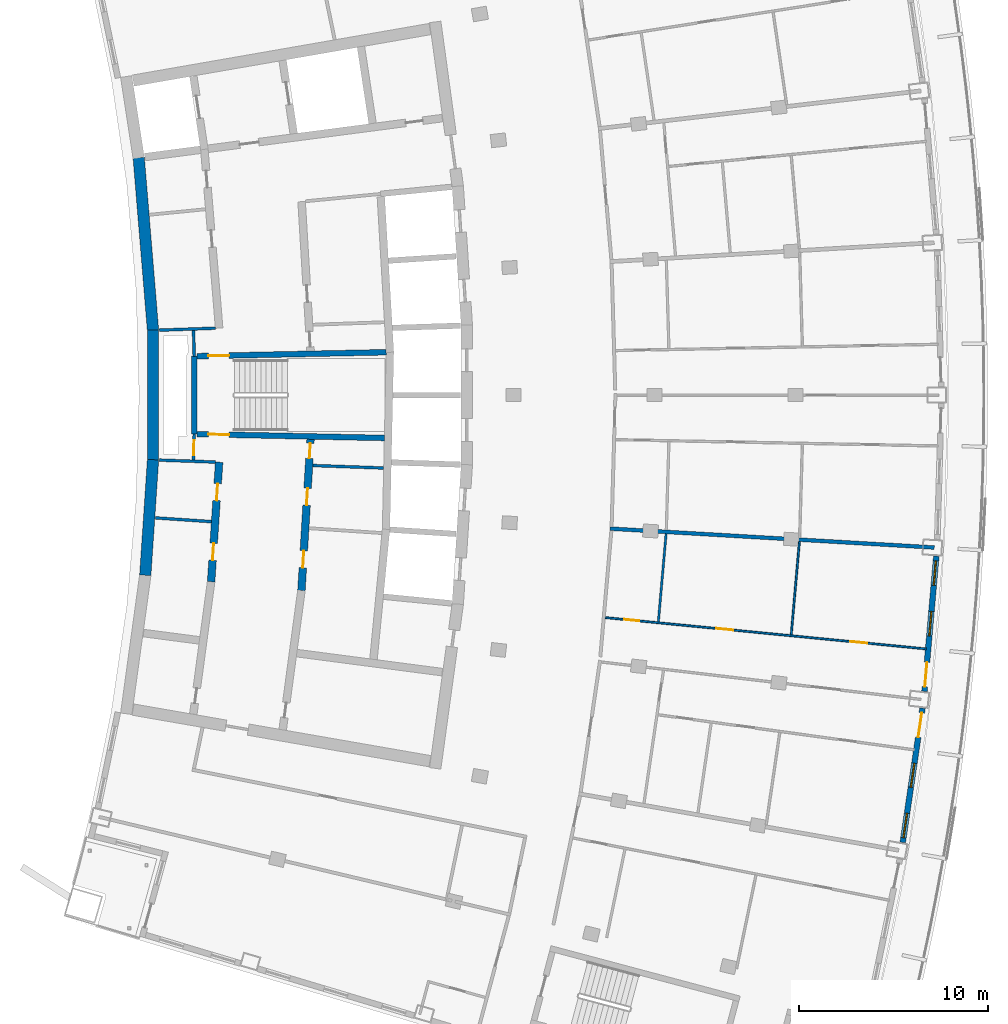
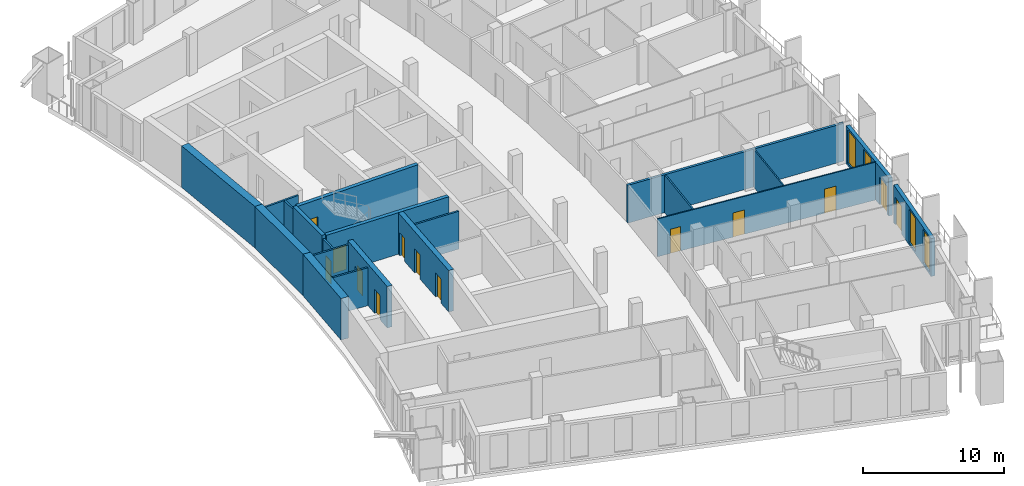
# One storey, part 11 of 19: 20 walls, 13 doors, 4 windows, 17 openings.
"""IFC4 building model written with IfcOpenShell, lengths in metres."""

from ifc_helpers import new_model, si_unit, direction, frame, frame_2d, origin, place, context, subcontext, project, spatial, rectangle, extrude, material, layer, layer_set, type_object, element, fill, save


model = new_model("IFC4")

# Units and contexts
model_context = context("Model", 3, precision=1e-05, world=origin(), true_north=direction((0.0, 1.0)))
body_context = subcontext(model_context, "Body", "Model", "MODEL_VIEW")
ifc_project = project(units=[si_unit("LENGTHUNIT", "METRE"), si_unit("AREAUNIT", "SQUARE_METRE"), si_unit("VOLUMEUNIT", "CUBIC_METRE"), si_unit("PLANEANGLEUNIT", "RADIAN"), si_unit("MASSUNIT", "GRAM", prefix="KILO")], contexts=[model_context])

# Site, building, storey
site_placement = place(None, origin())
site = spatial("IfcSite", under=ifc_project, at=site_placement, CompositionType="ELEMENT")
building_placement = place(site_placement, origin())
building = spatial("IfcBuilding", under=site, at=building_placement, Name="Alderwake Tower", CompositionType="ELEMENT")
storey_placement = place(building_placement, frame((0.0, 0.0, 203.60009765625)))
storey = spatial("IfcBuildingStorey", under=building, at=storey_placement, Name="L50", CompositionType="ELEMENT", Elevation=203.60009765625)

# Wall
ifc_material_1 = material(Name="Gypsum shaft wall system, rated")
ifc_layer_1 = layer(ifc_material_1, 0.14990234375)
ifc_layer_set_1 = layer_set([ifc_layer_1], Name="Core riser partition 150")
wall_type_1 = type_object("IfcWallType", Name="Core riser partition 150", PredefinedType="PARTITIONING", material=ifc_layer_set_1)
wall_1_placement = place(storey_placement, frame((25.1904296875, 57.276611328125, 0.0), z_axis=(0.0, 0.0, 1.0), x_axis=(0.99937350076, -0.035392173974, 0.0)))
element("IfcWall", 1, at=wall_1_placement, inside=storey, type_object=wall_type_1, Name="CW/L50/PR-37_+86", PredefinedType="PARTITIONING", context=body_context, shape_type="SweptSolid", body=[
    extrude(rectangle(XDim=3.752685546875, YDim=0.14990234375, at=frame_2d((1.87646484375, 0.0))), origin(), (0.0, 0.0, 1.0), 3.27978515625),
])

# Wall, opening, door
ifc_material_2 = material(Name="Gypsum shaft wall system, rated")
ifc_layer_2 = layer(ifc_material_2, 0.14990234375)
ifc_layer_set_2 = layer_set([ifc_layer_2], Name="Core room partition 150")
wall_type_2 = type_object("IfcWallType", Name="Core room partition 150", PredefinedType="PARTITIONING", material=ifc_layer_set_2)
wall_2_placement = place(storey_placement, frame((18.918701171875, 58.94384765625, 0.0), z_axis=(0.0, 0.0, 1.0), x_axis=(-0.027811602725, -0.999613182563, 0.0)))
wall_2 = element("IfcWall", 2, at=wall_2_placement, inside=storey, type_object=wall_type_2, Name="CW/L50/PA+24_-37", PredefinedType="PARTITIONING", context=body_context, shape_type="SweptSolid", body=[
    extrude(rectangle(XDim=1.369384765625, YDim=0.14990234375, at=frame_2d((0.6845703125, 0.0))), origin(), (0.0, 0.0, 1.0), 3.27978515625),
])
opening_1_placement = place(wall_2_placement, frame((0.322998046875, 0.0, 0.0)))
opening_1 = element("IfcOpeningElement", 3, at=opening_1_placement, cuts=wall_2, Name="Opening C004", PredefinedType="OPENING", context=body_context, shape_type="SweptSolid", body=[
    extrude(rectangle(XDim=0.800048828125, YDim=2.0, at=frame_2d((0.39990234375, 1.0))), frame((0.0, 0.0849609375, 0.0), z_axis=(0.0, -1.0, 0.0), x_axis=(1.0, 0.0, 0.0)), (0.0, 0.0, 1.0), 0.169921875),
])
ifc_material_3 = material(Name="Painted steel leaf, rated", Category="steel")
door_type_1 = type_object("IfcDoorType", Name="Riser access door 800", OperationType="SINGLE_SWING_LEFT", PredefinedType="DOOR", material=ifc_material_3)
door_1_placement = place(opening_1_placement, origin())
door_1 = element("IfcDoor", 4, at=door_1_placement, inside=storey, type_object=door_type_1, Name="Riser access door", OperationType="SINGLE_SWING_RIGHT", OverallHeight=2.0, OverallWidth=0.800048828125, PredefinedType="DOOR", context=body_context, shape_type="SweptSolid", body=[
    extrude(rectangle(XDim=0.800048828125, YDim=2.0, at=frame_2d((0.39990234375, 1.0))), frame((0.0, 0.02490234375, 0.0), z_axis=(0.0, -1.0, 0.0), x_axis=(1.0, 0.0, 0.0)), (0.0, 0.0, 1.0), 0.050048828125),
])
fill(opening_1, door_1)

# Walls
wall_3_placement = place(storey_placement, frame((18.918701171875, 63.05517578125, 0.0), z_axis=(0.0, 0.0, 1.0), x_axis=(-0.027791791559, 0.99961373356, 0.0)))
element("IfcWall", 5, at=wall_3_placement, inside=storey, type_object=wall_type_2, Name="CW/L50/PA+24_+22", PredefinedType="PARTITIONING", context=body_context, shape_type="SweptSolid", body=[
    extrude(rectangle(XDim=1.370361328125, YDim=0.14990234375, at=frame_2d((0.68505859375, 0.0))), origin(), (0.0, 0.0, 1.0), 3.27978515625),
])
wall_4_placement = place(storey_placement, frame((16.864501953125, 54.506103515625, 0.0), z_axis=(0.0, 0.0, 1.0), x_axis=(0.997761437145, -0.066873870437, 0.0)))
element("IfcWall", 6, at=wall_4_placement, inside=storey, type_object=wall_type_2, Name="CW/L50/PR-70_+0", PredefinedType="PARTITIONING", context=body_context, shape_type="SweptSolid", body=[
    extrude(rectangle(XDim=2.968017578125, YDim=0.14990234375, at=frame_2d((1.48388671875, 0.0))), origin(), (0.0, 0.0, 1.0), 3.27978515625),
])
for number, where, z_axis, x_axis, name in (
    (7, (17.0693359375, 57.56396484375, 0.0), (0.0, 0.0, 1.0), (0.999374945052, -0.03535136775, 0.0), "CW/L50/PR-37_+0"),
    (8, (17.0693359375, 64.43603515625, 0.0), (0.0, 0.0, 1.0), (0.999374945052, 0.03535136775, 0.0), "CW/L50/PR+37_+0"),
):
    element("IfcWall", number, at=place(storey_placement, frame(where, z_axis=z_axis, x_axis=x_axis)), inside=storey, type_object=wall_type_2, Name=name, PredefinedType="PARTITIONING", context=body_context, shape_type="SweptSolid", body=[
        extrude(rectangle(XDim=2.9697265625, YDim=0.14990234375, at=frame_2d((1.48486328125, 0.0))), origin(), (0.0, 0.0, 1.0), 3.27978515625),
    ])
ifc_material_4 = material(Name="Concrete C70/85", Category="concrete")
ifc_layer_3 = layer(ifc_material_4, 0.60009765625)
ifc_layer_set_3 = layer_set([ifc_layer_3], Name="Core wall outer 600 C70-85")
wall_type_3 = type_object("IfcWallType", Name="Core wall outer 600 C70-85", PredefinedType="SHEAR", material=ifc_layer_set_3)
wall_5_placement = place(storey_placement, frame((16.330078125, 51.469970703125, 0.0), z_axis=(0.0, 0.0, 1.0), x_axis=(0.066870582109, 0.997761657536, 0.0)))
element("IfcWall", 9, at=wall_5_placement, inside=storey, type_object=wall_type_3, Name="Core wall CW.036", PredefinedType="SHEAR", context=body_context, shape_type="SweptSolid", body=[
    extrude(rectangle(XDim=6.1298828125, YDim=0.60009765625, at=frame_2d((3.06494140625, 0.0))), origin(), (0.0, 0.0, 1.0), 3.599853515625),
])
wall_6_placement = place(storey_placement, frame((16.739501953125, 57.565185546875, 0.0), z_axis=(0.0, 0.0, 1.0), x_axis=(0.0, 1.0, 0.0)))
element("IfcWall", 10, at=wall_6_placement, inside=storey, type_object=wall_type_3, Name="Core wall CW.038", PredefinedType="SHEAR", context=body_context, shape_type="SweptSolid", body=[
    extrude(rectangle(XDim=6.8720703125, YDim=0.60009765625, at=frame_2d((3.43603515625, 0.0))), origin(), (0.0, 0.0, 1.0), 3.599853515625),
])
wall_7_placement = place(storey_placement, frame((16.740478515625, 64.411376953125, 0.0), z_axis=(0.0, 0.0, 1.0), x_axis=(-0.082614307012, 0.996581595393, 0.0)))
element("IfcWall", 11, at=wall_7_placement, inside=storey, type_object=wall_type_3, Name="Core wall CW.035", PredefinedType="SHEAR", context=body_context, shape_type="SweptSolid", body=[
    extrude(rectangle(XDim=9.184814453125, YDim=0.60009765625, at=frame_2d((4.59228515625, 0.0))), origin(), (0.0, 0.0, 1.0), 3.599853515625),
])

# Wall, openings, doors
ifc_material_5 = material(Name="Concrete C70/85", Category="concrete")
ifc_layer_4 = layer(ifc_material_5, 0.39990234375)
ifc_layer_set_4 = layer_set([ifc_layer_4], Name="Core wall spine 400 C70-85")
wall_type_4 = type_object("IfcWallType", Name="Core wall spine 400 C70-85", PredefinedType="SHEAR", material=ifc_layer_set_4)
wall_8_placement = place(storey_placement, frame((20.2373046875, 57.451904296875, 0.0), z_axis=(0.0, 0.0, 1.0), x_axis=(-0.066884681503, -0.997760712486, 0.0)))
wall_8 = element("IfcWall", 12, at=wall_8_placement, inside=storey, type_object=wall_type_4, Name="Core wall CW.032", PredefinedType="SHEAR", context=body_context, shape_type="SweptSolid", body=[
    extrude(rectangle(XDim=6.336669921875, YDim=0.39990234375, at=frame_2d((3.16845703125, 0.0))), origin(), (0.0, 0.0, 1.0), 3.599853515625),
])
opening_2_placement = place(wall_8_placement, frame((4.297119140625, 0.0, 0.0)))
opening_2 = element("IfcOpeningElement", 13, at=opening_2_placement, cuts=wall_8, Name="Opening C038", PredefinedType="OPENING", context=body_context, shape_type="SweptSolid", body=[
    extrude(rectangle(XDim=0.89990234375, YDim=2.10009765625, at=frame_2d((0.449951171875, 1.050048828125))), frame((0.0, 0.2099609375, 0.0), z_axis=(0.0, -1.0, 0.0), x_axis=(1.0, 0.0, 0.0)), (0.0, 0.0, 1.0), 0.419921875),
])
opening_3_placement = place(wall_8_placement, frame((1.132080078125, 0.0, 0.0)))
opening_3 = element("IfcOpeningElement", 14, at=opening_3_placement, cuts=wall_8, Name="Opening C042", PredefinedType="OPENING", context=body_context, shape_type="SweptSolid", body=[
    extrude(rectangle(XDim=0.89990234375, YDim=2.10009765625, at=frame_2d((0.449951171875, 1.050048828125))), frame((0.0, 0.2099609375, 0.0), z_axis=(0.0, -1.0, 0.0), x_axis=(1.0, 0.0, 0.0)), (0.0, 0.0, 1.0), 0.419921875),
])
ifc_material_6 = material(Name="Painted steel leaf", Category="steel")
door_type_2 = type_object("IfcDoorType", Name="Core room door 900", OperationType="SINGLE_SWING_LEFT", PredefinedType="DOOR", material=ifc_material_6)
door_2_placement = place(opening_2_placement, origin())
door_2 = element("IfcDoor", 15, at=door_2_placement, inside=storey, type_object=door_type_2, Name="Room door", OperationType="SINGLE_SWING_RIGHT", OverallHeight=2.10009765625, OverallWidth=0.89990234375, PredefinedType="DOOR", context=body_context, shape_type="SweptSolid", body=[
    extrude(rectangle(XDim=0.89990234375, YDim=2.10009765625, at=frame_2d((0.449951171875, 1.050048828125))), frame((0.0, 0.02490234375, 0.0), z_axis=(0.0, -1.0, 0.0), x_axis=(1.0, 0.0, 0.0)), (0.0, 0.0, 1.0), 0.050048828125),
])
fill(opening_2, door_2)
door_3_placement = place(opening_3_placement, origin())
door_3 = element("IfcDoor", 16, at=door_3_placement, inside=storey, type_object=door_type_2, Name="Room door", OperationType="SINGLE_SWING_LEFT", OverallHeight=2.10009765625, OverallWidth=0.89990234375, PredefinedType="DOOR", context=body_context, shape_type="SweptSolid", body=[
    extrude(rectangle(XDim=0.89990234375, YDim=2.10009765625, at=frame_2d((0.449951171875, 1.050048828125))), frame((0.0, 0.02490234375, 0.0), z_axis=(0.0, -1.0, 0.0), x_axis=(1.0, 0.0, 0.0)), (0.0, 0.0, 1.0), 0.050048828125),
])
fill(opening_3, door_3)

wall_9_placement = place(storey_placement, frame((24.590087890625, 50.65673828125, 0.0), z_axis=(0.0, 0.0, 1.0), x_axis=(0.060318641452, 0.998179173041, 0.0)))
wall_9 = element("IfcWall", 17, at=wall_9_placement, inside=storey, type_object=wall_type_4, Name="Core wall CW.046", PredefinedType="SHEAR", context=body_context, shape_type="SweptSolid", body=[
    extrude(rectangle(XDim=8.022216796875, YDim=0.39990234375, at=frame_2d((4.01123046875, 0.0))), origin(), (0.0, 0.0, 1.0), 3.599853515625),
])
opening_4_placement = place(wall_9_placement, frame((7.006103515625, 0.0, 0.0)))
opening_4 = element("IfcOpeningElement", 18, at=opening_4_placement, cuts=wall_9, Name="Opening C006", PredefinedType="OPENING", context=body_context, shape_type="SweptSolid", body=[
    extrude(rectangle(XDim=0.800048828125, YDim=2.0, at=frame_2d((0.39990234375, 1.0))), frame((0.0, 0.2099609375, 0.0), z_axis=(0.0, -1.0, 0.0), x_axis=(1.0, 0.0, 0.0)), (0.0, 0.0, 1.0), 0.419921875),
])
opening_5_placement = place(wall_9_placement, frame((1.21533203125, 0.0, 0.0)))
opening_5 = element("IfcOpeningElement", 19, at=opening_5_placement, cuts=wall_9, Name="Opening C044", PredefinedType="OPENING", context=body_context, shape_type="SweptSolid", body=[
    extrude(rectangle(XDim=0.89990234375, YDim=2.10009765625, at=frame_2d((0.449951171875, 1.050048828125))), frame((0.0, 0.2099609375, 0.0), z_axis=(0.0, -1.0, 0.0), x_axis=(1.0, 0.0, 0.0)), (0.0, 0.0, 1.0), 0.419921875),
])
opening_6_placement = place(wall_9_placement, frame((4.531982421875, 0.0, 0.0)))
opening_6 = element("IfcOpeningElement", 20, at=opening_6_placement, cuts=wall_9, Name="Opening C048", PredefinedType="OPENING", context=body_context, shape_type="SweptSolid", body=[
    extrude(rectangle(XDim=0.89990234375, YDim=2.10009765625, at=frame_2d((0.449951171875, 1.050048828125))), frame((0.0, 0.2099609375, 0.0), z_axis=(0.0, -1.0, 0.0), x_axis=(1.0, 0.0, 0.0)), (0.0, 0.0, 1.0), 0.419921875),
])
door_4_placement = place(opening_5_placement, origin())
door_4 = element("IfcDoor", 21, at=door_4_placement, inside=storey, type_object=door_type_2, Name="Room door", OperationType="SINGLE_SWING_RIGHT", OverallHeight=2.10009765625, OverallWidth=0.89990234375, PredefinedType="DOOR", context=body_context, shape_type="SweptSolid", body=[
    extrude(rectangle(XDim=0.89990234375, YDim=2.10009765625, at=frame_2d((0.449951171875, 1.050048828125))), frame((0.0, 0.02490234375, 0.0), z_axis=(0.0, -1.0, 0.0), x_axis=(1.0, 0.0, 0.0)), (0.0, 0.0, 1.0), 0.050048828125),
])
fill(opening_5, door_4)
door_5_placement = place(opening_6_placement, origin())
door_5 = element("IfcDoor", 22, at=door_5_placement, inside=storey, type_object=door_type_2, Name="Room door", OperationType="SINGLE_SWING_LEFT", OverallHeight=2.10009765625, OverallWidth=0.89990234375, PredefinedType="DOOR", context=body_context, shape_type="SweptSolid", body=[
    extrude(rectangle(XDim=0.89990234375, YDim=2.10009765625, at=frame_2d((0.449951171875, 1.050048828125))), frame((0.0, 0.02490234375, 0.0), z_axis=(0.0, -1.0, 0.0), x_axis=(1.0, 0.0, 0.0)), (0.0, 0.0, 1.0), 0.050048828125),
])
fill(opening_6, door_5)
door_6_placement = place(opening_4_placement, origin())
door_6 = element("IfcDoor", 23, at=door_6_placement, inside=storey, type_object=door_type_1, Name="Riser access door", OperationType="SINGLE_SWING_RIGHT", OverallHeight=2.0, OverallWidth=0.800048828125, PredefinedType="DOOR", context=body_context, shape_type="SweptSolid", body=[
    extrude(rectangle(XDim=0.800048828125, YDim=2.0, at=frame_2d((0.39990234375, 1.0))), frame((0.0, 0.02490234375, 0.0), z_axis=(0.0, -1.0, 0.0), x_axis=(1.0, 0.0, 0.0)), (0.0, 0.0, 1.0), 0.050048828125),
])
fill(opening_4, door_6)

# Wall
ifc_material_7 = material(Name="Concrete C70/85", Category="concrete")
ifc_layer_5 = layer(ifc_material_7, 0.300048828125)
ifc_layer_set_5 = layer_set([ifc_layer_5], Name="Core wall stair enclosure 300 C70-85")
wall_type_5 = type_object("IfcWallType", Name="Core wall stair enclosure 300 C70-85", PredefinedType="SHEAR", material=ifc_layer_set_5)
wall_10_placement = place(storey_placement, frame((18.918701171875, 58.940673828125, 0.0), z_axis=(0.0, 0.0, 1.0), x_axis=(0.0, 1.0, 0.0)))
element("IfcWall", 24, at=wall_10_placement, inside=storey, type_object=wall_type_5, Name="Core wall CW.024", PredefinedType="SHEAR", context=body_context, shape_type="SweptSolid", body=[
    extrude(rectangle(XDim=4.11962890625, YDim=0.300048828125, at=frame_2d((2.059814453125, 0.0))), origin(), (0.0, 0.0, 1.0), 3.599853515625),
])

# Wall, opening, door
wall_11_placement = place(storey_placement, frame((28.975830078125, 58.733154296875, 0.0), z_axis=(0.0, 0.0, 1.0), x_axis=(-0.999783782948, 0.020793925895, 0.0)))
wall_11 = element("IfcWall", 25, at=wall_11_placement, inside=storey, type_object=wall_type_5, Name="Core wall CW.074", PredefinedType="SHEAR", context=body_context, shape_type="SweptSolid", body=[
    extrude(rectangle(XDim=9.909423828125, YDim=0.300048828125, at=frame_2d((4.95458984375, 0.0))), origin(), (0.0, 0.0, 1.0), 3.599853515625),
])
opening_7_placement = place(wall_11_placement, frame((8.20947265625, 0.0, 0.0)))
opening_7 = element("IfcOpeningElement", 26, at=opening_7_placement, cuts=wall_11, Name="Opening C063", PredefinedType="OPENING", context=body_context, shape_type="SweptSolid", body=[
    extrude(rectangle(XDim=1.10009765625, YDim=2.10009765625, at=frame_2d((0.550048828125, 1.050048828125))), frame((0.0, 0.159912109375, 0.0), z_axis=(0.0, -1.0, 0.0), x_axis=(1.0, 0.0, 0.0)), (0.0, 0.0, 1.0), 0.320068359375),
])
ifc_material_8 = material(Name="Steel-framed fire door leaf", Category="steel")
door_type_3 = type_object("IfcDoorType", Name="Core stair door 1100 fire-rated", OperationType="SINGLE_SWING_LEFT", PredefinedType="DOOR", material=ifc_material_8)
door_7_placement = place(opening_7_placement, origin())
door_7 = element("IfcDoor", 27, at=door_7_placement, inside=storey, type_object=door_type_3, Name="Stair door", OperationType="SINGLE_SWING_LEFT", OverallHeight=2.10009765625, OverallWidth=1.10009765625, PredefinedType="DOOR", context=body_context, shape_type="SweptSolid", body=[
    extrude(rectangle(XDim=1.10009765625, YDim=2.10009765625, at=frame_2d((0.550048828125, 1.050048828125))), frame((0.0, 0.02490234375, 0.0), z_axis=(0.0, -1.0, 0.0), x_axis=(1.0, 0.0, 0.0)), (0.0, 0.0, 1.0), 0.050048828125),
])
fill(opening_7, door_7)

wall_12_placement = place(storey_placement, frame((19.068603515625, 63.060791015625, 0.0), z_axis=(0.0, 0.0, 1.0), x_axis=(0.999783553773, 0.02080494185, 0.0)))
wall_12 = element("IfcWall", 28, at=wall_12_placement, inside=storey, type_object=wall_type_5, Name="Core wall CW.057", PredefinedType="SHEAR", context=body_context, shape_type="SweptSolid", body=[
    extrude(rectangle(XDim=10.009765625, YDim=0.300048828125, at=frame_2d((5.0048828125, 0.0))), origin(), (0.0, 0.0, 1.0), 3.599853515625),
])
opening_8_placement = place(wall_12_placement, frame((0.60009765625, 0.0, 0.0)))
opening_8 = element("IfcOpeningElement", 29, at=opening_8_placement, cuts=wall_12, Name="Opening C064", PredefinedType="OPENING", context=body_context, shape_type="SweptSolid", body=[
    extrude(rectangle(XDim=1.10009765625, YDim=2.10009765625, at=frame_2d((0.550048828125, 1.050048828125))), frame((0.0, 0.159912109375, 0.0), z_axis=(0.0, -1.0, 0.0), x_axis=(1.0, 0.0, 0.0)), (0.0, 0.0, 1.0), 0.320068359375),
])
door_8_placement = place(opening_8_placement, origin())
door_8 = element("IfcDoor", 30, at=door_8_placement, inside=storey, type_object=door_type_3, Name="Stair door", OperationType="SINGLE_SWING_RIGHT", OverallHeight=2.10009765625, OverallWidth=1.10009765625, PredefinedType="DOOR", context=body_context, shape_type="SweptSolid", body=[
    extrude(rectangle(XDim=1.10009765625, YDim=2.10009765625, at=frame_2d((0.550048828125, 1.050048828125))), frame((0.0, 0.02490234375, 0.0), z_axis=(0.0, -1.0, 0.0), x_axis=(1.0, 0.0, 0.0)), (0.0, 0.0, 1.0), 0.050048828125),
])
fill(opening_8, door_8)

# Wall, openings, door, windows
ifc_material_9 = material(Name="Precast concrete C50/60 spandrel panel", Category="concrete")
ifc_layer_6 = layer(ifc_material_9, 0.300048828125)
ifc_layer_set_6 = layer_set([ifc_layer_6], Name="External wall EW1 Precast concrete C50/60 spandrel")
wall_type_6 = type_object("IfcWallType", Name="External wall EW1 Precast concrete C50/60 spandrel", PredefinedType="SOLIDWALL", material=ifc_layer_set_6)
wall_13_placement = place(storey_placement, frame((56.400390625, 37.33740234375, 0.0), z_axis=(0.0, 0.0, 1.0), x_axis=(0.145323662677, 0.989384168595, 0.0)))
wall_13 = element("IfcWall", 31, at=wall_13_placement, inside=storey, type_object=wall_type_6, Name="External wall 13", PredefinedType="SOLIDWALL", context=body_context, shape_type="SweptSolid", body=[
    extrude(rectangle(XDim=7.18017578125, YDim=0.300048828125, at=frame_2d((3.590087890625, 0.0))), origin(), (0.0, 0.0, 1.0), 3.27978515625),
])
opening_9_placement = place(wall_13_placement, frame((0.25341796875, 0.0, 0.199951171875)))
opening_9 = element("IfcOpeningElement", 32, at=opening_9_placement, cuts=wall_13, Name="Opening W1", PredefinedType="OPENING", context=body_context, shape_type="SweptSolid", body=[
    extrude(rectangle(XDim=1.300048828125, YDim=2.89990234375, at=frame_2d((0.64990234375, 1.449951171875))), frame((0.0, 0.159912109375, 0.0), z_axis=(0.0, -1.0, 0.0), x_axis=(1.0, 0.0, 0.0)), (0.0, 0.0, 1.0), 0.320068359375),
])
opening_10_placement = place(wall_13_placement, frame((2.940185546875, 0.0, 0.199951171875)))
opening_10 = element("IfcOpeningElement", 33, at=opening_10_placement, cuts=wall_13, Name="Opening W1", PredefinedType="OPENING", context=body_context, shape_type="SweptSolid", body=[
    extrude(rectangle(XDim=1.300048828125, YDim=2.89990234375, at=frame_2d((0.64990234375, 1.449951171875))), frame((0.0, 0.159912109375, 0.0), z_axis=(0.0, -1.0, 0.0), x_axis=(1.0, 0.0, 0.0)), (0.0, 0.0, 1.0), 0.320068359375),
])
opening_11_placement = place(wall_13_placement, frame((5.626953125, 0.0, 0.0)))
opening_11 = element("IfcOpeningElement", 34, at=opening_11_placement, cuts=wall_13, Name="Opening D03", PredefinedType="OPENING", context=body_context, shape_type="SweptSolid", body=[
    extrude(rectangle(XDim=1.300048828125, YDim=2.39990234375, at=frame_2d((0.64990234375, 1.199951171875))), frame((0.0, 0.159912109375, 0.0), z_axis=(0.0, -1.0, 0.0), x_axis=(1.0, 0.0, 0.0)), (0.0, 0.0, 1.0), 0.320068359375),
])
ifc_material_10 = material(Name="Bronze tinted glass in aluminium frame", Category="aluminium")
door_type_4 = type_object("IfcDoorType", Name="Balcony door BD sliding", OperationType="SLIDING_TO_LEFT", PredefinedType="DOOR", material=ifc_material_10)
door_9_placement = place(opening_11_placement, origin())
door_9 = element("IfcDoor", 35, at=door_9_placement, inside=storey, type_object=door_type_4, Name="Door D03", OperationType="SLIDING_TO_LEFT", OverallHeight=2.39990234375, OverallWidth=1.300048828125, PredefinedType="DOOR", context=body_context, shape_type="SweptSolid", body=[
    extrude(rectangle(XDim=1.300048828125, YDim=2.39990234375, at=frame_2d((0.64990234375, 1.199951171875))), frame((0.0, 0.02490234375, 0.0), z_axis=(0.0, -1.0, 0.0), x_axis=(1.0, 0.0, 0.0)), (0.0, 0.0, 1.0), 0.050048828125),
])
fill(opening_11, door_9)
ifc_material_11 = material(Name="Bronze tinted glass in aluminium frame", Category="aluminium")
window_type = type_object("IfcWindowType", Name="Window W1 tall fixed and vent", PartitioningType="DOUBLE_PANEL_VERTICAL", PredefinedType="WINDOW", material=ifc_material_11)
window_1_placement = place(opening_9_placement, origin())
window_1 = element("IfcWindow", 36, at=window_1_placement, inside=storey, type_object=window_type, Name="Window W1 tall fixed and vent", OverallHeight=2.89990234375, OverallWidth=1.300048828125, PartitioningType="DOUBLE_PANEL_VERTICAL", PredefinedType="WINDOW", context=body_context, shape_type="SweptSolid", body=[
    extrude(rectangle(XDim=1.300048828125, YDim=2.89990234375, at=frame_2d((0.64990234375, 1.449951171875))), frame((0.0, 0.030029296875, 0.0), z_axis=(0.0, -1.0, 0.0), x_axis=(1.0, 0.0, 0.0)), (0.0, 0.0, 1.0), 0.06005859375),
])
fill(opening_9, window_1)
window_2_placement = place(opening_10_placement, origin())
window_2 = element("IfcWindow", 37, at=window_2_placement, inside=storey, type_object=window_type, Name="Window W1 tall fixed and vent", OverallHeight=2.89990234375, OverallWidth=1.300048828125, PartitioningType="DOUBLE_PANEL_VERTICAL", PredefinedType="WINDOW", context=body_context, shape_type="SweptSolid", body=[
    extrude(rectangle(XDim=1.300048828125, YDim=2.89990234375, at=frame_2d((0.64990234375, 1.449951171875))), frame((0.0, 0.030029296875, 0.0), z_axis=(0.0, -1.0, 0.0), x_axis=(1.0, 0.0, 0.0)), (0.0, 0.0, 1.0), 0.06005859375),
])
fill(opening_10, window_2)

wall_14_placement = place(storey_placement, frame((57.5478515625, 45.329833984375, 0.0), z_axis=(0.0, 0.0, 1.0), x_axis=(0.087383747715, 0.996174723949, 0.0)))
wall_14 = element("IfcWall", 38, at=wall_14_placement, inside=storey, type_object=wall_type_6, Name="External wall 14", PredefinedType="SOLIDWALL", context=body_context, shape_type="SweptSolid", body=[
    extrude(rectangle(XDim=7.180419921875, YDim=0.300048828125, at=frame_2d((3.59033203125, 0.0))), origin(), (0.0, 0.0, 1.0), 3.27978515625),
])
opening_12_placement = place(wall_14_placement, frame((0.25341796875, 0.0, 0.0)))
opening_12 = element("IfcOpeningElement", 39, at=opening_12_placement, cuts=wall_14, Name="Opening D04", PredefinedType="OPENING", context=body_context, shape_type="SweptSolid", body=[
    extrude(rectangle(XDim=1.300048828125, YDim=2.39990234375, at=frame_2d((0.64990234375, 1.199951171875))), frame((0.0, 0.159912109375, 0.0), z_axis=(0.0, -1.0, 0.0), x_axis=(1.0, 0.0, 0.0)), (0.0, 0.0, 1.0), 0.320068359375),
])
opening_13_placement = place(wall_14_placement, frame((2.940185546875, 0.0, 0.199951171875)))
opening_13 = element("IfcOpeningElement", 40, at=opening_13_placement, cuts=wall_14, Name="Opening W1", PredefinedType="OPENING", context=body_context, shape_type="SweptSolid", body=[
    extrude(rectangle(XDim=1.300048828125, YDim=2.89990234375, at=frame_2d((0.64990234375, 1.449951171875))), frame((0.0, 0.159912109375, 0.0), z_axis=(0.0, -1.0, 0.0), x_axis=(1.0, 0.0, 0.0)), (0.0, 0.0, 1.0), 0.320068359375),
])
opening_14_placement = place(wall_14_placement, frame((5.626953125, 0.0, 0.199951171875)))
opening_14 = element("IfcOpeningElement", 41, at=opening_14_placement, cuts=wall_14, Name="Opening W1", PredefinedType="OPENING", context=body_context, shape_type="SweptSolid", body=[
    extrude(rectangle(XDim=1.300048828125, YDim=2.89990234375, at=frame_2d((0.64990234375, 1.449951171875))), frame((0.0, 0.159912109375, 0.0), z_axis=(0.0, -1.0, 0.0), x_axis=(1.0, 0.0, 0.0)), (0.0, 0.0, 1.0), 0.320068359375),
])
door_10_placement = place(opening_12_placement, origin())
door_10 = element("IfcDoor", 42, at=door_10_placement, inside=storey, type_object=door_type_4, Name="Door D04", OperationType="SLIDING_TO_LEFT", OverallHeight=2.39990234375, OverallWidth=1.300048828125, PredefinedType="DOOR", context=body_context, shape_type="SweptSolid", body=[
    extrude(rectangle(XDim=1.300048828125, YDim=2.39990234375, at=frame_2d((0.64990234375, 1.199951171875))), frame((0.0, 0.02490234375, 0.0), z_axis=(0.0, -1.0, 0.0), x_axis=(1.0, 0.0, 0.0)), (0.0, 0.0, 1.0), 0.050048828125),
])
fill(opening_12, door_10)
window_3_placement = place(opening_13_placement, origin())
window_3 = element("IfcWindow", 43, at=window_3_placement, inside=storey, type_object=window_type, Name="Window W1 tall fixed and vent", OverallHeight=2.89990234375, OverallWidth=1.300048828125, PartitioningType="DOUBLE_PANEL_VERTICAL", PredefinedType="WINDOW", context=body_context, shape_type="SweptSolid", body=[
    extrude(rectangle(XDim=1.300048828125, YDim=2.89990234375, at=frame_2d((0.64990234375, 1.449951171875))), frame((0.0, 0.030029296875, 0.0), z_axis=(0.0, -1.0, 0.0), x_axis=(1.0, 0.0, 0.0)), (0.0, 0.0, 1.0), 0.06005859375),
])
fill(opening_13, window_3)
window_4_placement = place(opening_14_placement, origin())
window_4 = element("IfcWindow", 44, at=window_4_placement, inside=storey, type_object=window_type, Name="Window W1 tall fixed and vent", OverallHeight=2.89990234375, OverallWidth=1.300048828125, PartitioningType="DOUBLE_PANEL_VERTICAL", PredefinedType="WINDOW", context=body_context, shape_type="SweptSolid", body=[
    extrude(rectangle(XDim=1.300048828125, YDim=2.89990234375, at=frame_2d((0.64990234375, 1.449951171875))), frame((0.0, 0.030029296875, 0.0), z_axis=(0.0, -1.0, 0.0), x_axis=(1.0, 0.0, 0.0)), (0.0, 0.0, 1.0), 0.06005859375),
])
fill(opening_14, window_4)

# Wall
ifc_material_12 = material(Name="Dense block masonry wall", Category="masonry")
ifc_layer_7 = layer(ifc_material_12, 0.199951171875)
ifc_layer_set_7 = layer_set([ifc_layer_7], Name="Party wall 200")
wall_type_7 = type_object("IfcWallType", Name="Party wall 200", PredefinedType="SOLIDWALL", material=ifc_layer_set_7)
wall_15_placement = place(storey_placement, frame((58.06494140625, 52.93798828125, 0.0), z_axis=(0.0, 0.0, 1.0), x_axis=(-0.998301852926, 0.058252986578, 0.0)))
element("IfcWall", 45, at=wall_15_placement, inside=storey, type_object=wall_type_7, Name="WL/L50/W04", PredefinedType="SOLIDWALL", context=body_context, shape_type="SweptSolid", body=[
    extrude(rectangle(XDim=17.178955078125, YDim=0.199951171875, at=frame_2d((8.58935546875, 0.0))), origin(), (0.0, 0.0, 1.0), 3.27978515625),
])

# Wall, openings, doors
ifc_material_13 = material(Name="Gypsum board on metal studs")
ifc_layer_8 = layer(ifc_material_13, 0.10009765625)
ifc_layer_set_8 = layer_set([ifc_layer_8], Name="Unit partition 100")
wall_type_8 = type_object("IfcWallType", Name="Unit partition 100", PredefinedType="PARTITIONING", material=ifc_layer_set_8)
wall_16_placement = place(storey_placement, frame((40.66064453125, 49.231201171875, 0.0), z_axis=(0.0, 0.0, 1.0), x_axis=(0.995273419862, -0.09711240763, 0.0)))
wall_16 = element("IfcWall", 46, at=wall_16_placement, inside=storey, type_object=wall_type_8, Name="WL/L50/W46", PredefinedType="PARTITIONING", context=body_context, shape_type="SweptSolid", body=[
    extrude(rectangle(XDim=17.06494140625, YDim=0.10009765625, at=frame_2d((8.532470703125, 0.0))), origin(), (0.0, 0.0, 1.0), 3.27978515625),
])
opening_15_placement = place(wall_16_placement, frame((5.901123046875, 0.0, 0.0)))
opening_15 = element("IfcOpeningElement", 47, at=opening_15_placement, cuts=wall_16, Name="Opening R14-U04.6", PredefinedType="OPENING", context=body_context, shape_type="SweptSolid", body=[
    extrude(rectangle(XDim=0.89990234375, YDim=2.10009765625, at=frame_2d((0.449951171875, 1.050048828125))), frame((0.0, 0.06005859375, 0.0), z_axis=(0.0, -1.0, 0.0), x_axis=(1.0, 0.0, 0.0)), (0.0, 0.0, 1.0), 0.1201171875),
])
opening_16_placement = place(wall_16_placement, frame((1.010009765625, 0.0, 0.0)))
opening_16 = element("IfcOpeningElement", 48, at=opening_16_placement, cuts=wall_16, Name="Opening R14-U04.7", PredefinedType="OPENING", context=body_context, shape_type="SweptSolid", body=[
    extrude(rectangle(XDim=0.800048828125, YDim=2.10009765625, at=frame_2d((0.39990234375, 1.050048828125))), frame((0.0, 0.06005859375, 0.0), z_axis=(0.0, -1.0, 0.0), x_axis=(1.0, 0.0, 0.0)), (0.0, 0.0, 1.0), 0.1201171875),
])
opening_17_placement = place(wall_16_placement, frame((13.023193359375, 0.0, 0.0)))
opening_17 = element("IfcOpeningElement", 49, at=opening_17_placement, cuts=wall_16, Name="Opening R14-U04.8", PredefinedType="OPENING", context=body_context, shape_type="SweptSolid", body=[
    extrude(rectangle(XDim=0.89990234375, YDim=2.10009765625, at=frame_2d((0.449951171875, 1.050048828125))), frame((0.0, 0.06005859375, 0.0), z_axis=(0.0, -1.0, 0.0), x_axis=(1.0, 0.0, 0.0)), (0.0, 0.0, 1.0), 0.1201171875),
])
ifc_material_14 = material(Name="Painted timber leaf", Category="wood")
door_type_5 = type_object("IfcDoorType", Name="Bathroom door 800", OperationType="SINGLE_SWING_LEFT", PredefinedType="DOOR", material=ifc_material_14)
door_11_placement = place(opening_16_placement, origin())
door_11 = element("IfcDoor", 50, at=door_11_placement, inside=storey, type_object=door_type_5, Name="DR/L50/U04.7", OperationType="SINGLE_SWING_LEFT", OverallHeight=2.10009765625, OverallWidth=0.800048828125, PredefinedType="DOOR", context=body_context, shape_type="SweptSolid", body=[
    extrude(rectangle(XDim=0.800048828125, YDim=2.10009765625, at=frame_2d((0.39990234375, 1.050048828125))), frame((0.0, 0.02490234375, 0.0), z_axis=(0.0, -1.0, 0.0), x_axis=(1.0, 0.0, 0.0)), (0.0, 0.0, 1.0), 0.050048828125),
])
fill(opening_16, door_11)
ifc_material_15 = material(Name="Painted timber leaf", Category="wood")
door_type_6 = type_object("IfcDoorType", Name="Room door 900", OperationType="SINGLE_SWING_LEFT", PredefinedType="DOOR", material=ifc_material_15)
door_12_placement = place(opening_15_placement, origin())
door_12 = element("IfcDoor", 51, at=door_12_placement, inside=storey, type_object=door_type_6, Name="DR/L50/U04.6", OperationType="SINGLE_SWING_LEFT", OverallHeight=2.10009765625, OverallWidth=0.89990234375, PredefinedType="DOOR", context=body_context, shape_type="SweptSolid", body=[
    extrude(rectangle(XDim=0.89990234375, YDim=2.10009765625, at=frame_2d((0.449951171875, 1.050048828125))), frame((0.0, 0.02490234375, 0.0), z_axis=(0.0, -1.0, 0.0), x_axis=(1.0, 0.0, 0.0)), (0.0, 0.0, 1.0), 0.050048828125),
])
fill(opening_15, door_12)
door_13_placement = place(opening_17_placement, origin())
door_13 = element("IfcDoor", 52, at=door_13_placement, inside=storey, type_object=door_type_6, Name="DR/L50/U04.8", OperationType="SINGLE_SWING_LEFT", OverallHeight=2.10009765625, OverallWidth=0.89990234375, PredefinedType="DOOR", context=body_context, shape_type="SweptSolid", body=[
    extrude(rectangle(XDim=0.89990234375, YDim=2.10009765625, at=frame_2d((0.449951171875, 1.050048828125))), frame((0.0, 0.02490234375, 0.0), z_axis=(0.0, -1.0, 0.0), x_axis=(1.0, 0.0, 0.0)), (0.0, 0.0, 1.0), 0.050048828125),
])
fill(opening_17, door_13)

# Walls
wall_17_placement = place(storey_placement, frame((50.50048828125, 48.32275390625, 0.0), z_axis=(0.0, 0.0, 1.0), x_axis=(0.08762167266, 0.996153824708, 0.0)))
element("IfcWall", 53, at=wall_17_placement, inside=storey, type_object=wall_type_8, Name="WL/L50/W54", PredefinedType="PARTITIONING", context=body_context, shape_type="SweptSolid", body=[
    extrude(rectangle(XDim=4.948486328125, YDim=0.10009765625, at=frame_2d((2.47412109375, 0.0))), origin(), (0.0, 0.0, 1.0), 3.27978515625),
])
ifc_material_16 = material(Name="Moisture resistant gypsum board on metal studs")
ifc_layer_9 = layer(ifc_material_16, 0.1201171875)
ifc_layer_set_9 = layer_set([ifc_layer_9], Name="Wet room partition 120")
wall_type_9 = type_object("IfcWallType", Name="Wet room partition 120", PredefinedType="PARTITIONING", material=ifc_layer_set_9)
wall_18_placement = place(storey_placement, frame((43.471435546875, 49.0068359375, 0.0), z_axis=(0.0, 0.0, 1.0), x_axis=(0.087584573872, 0.99615708722, 0.0)))
element("IfcWall", 54, at=wall_18_placement, inside=storey, type_object=wall_type_9, Name="WL/L50/W37", PredefinedType="PARTITIONING", context=body_context, shape_type="SweptSolid", body=[
    extrude(rectangle(XDim=4.677490234375, YDim=0.1201171875, at=frame_2d((2.3388671875, 0.0))), origin(), (0.0, 0.0, 1.0), 3.27978515625),
])

save(model, "model.ifc")
